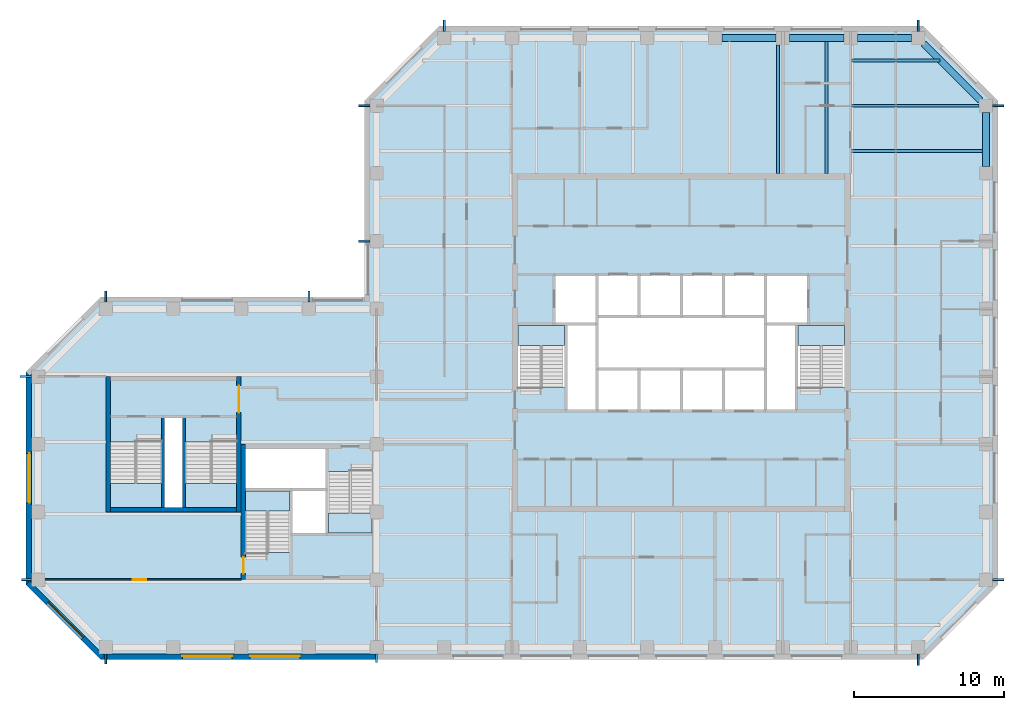
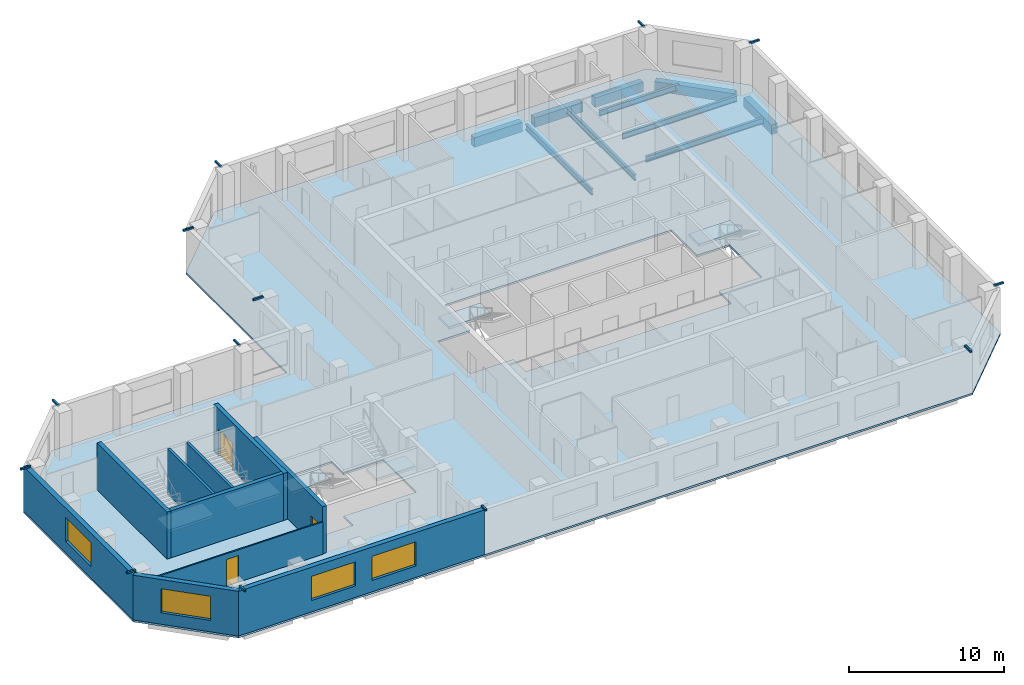
# One storey, part 2 of 9: 23 beams, 10 walls, 7 slabs, 4 windows, 3 doors, 7 openings, 6 elements without a shape of their own.
"""IFC4 building model written with IfcOpenShell, lengths in metres."""

from ifc_helpers import new_model, si_unit, direction, frame, frame_2d, origin, origin_2d, place, context, subcontext, project, spatial, polyline, rectangle, hollow_rectangle, i_section, outline, extrude, material, layer, layer_set, constituent, constituent_set, material_profile, profile_set, type_object, element, fill, aggregate, save


model = new_model("IFC4")

# Units and contexts
model_context = context("Model", 3, precision=1e-05, world=origin(), true_north=direction((0.0, 1.0)))
body_context = subcontext(model_context, "Body", "Model", "MODEL_VIEW")
ifc_project = project(units=[si_unit("LENGTHUNIT", "METRE"), si_unit("AREAUNIT", "SQUARE_METRE"), si_unit("VOLUMEUNIT", "CUBIC_METRE"), si_unit("PLANEANGLEUNIT", "RADIAN"), si_unit("MASSUNIT", "GRAM", prefix="KILO")], contexts=[model_context])

# Site, building, storey
site_placement = place(None, origin())
site = spatial("IfcSite", under=ifc_project, at=site_placement, CompositionType="ELEMENT")
building_placement = place(site_placement, origin())
building = spatial("IfcBuilding", under=site, at=building_placement, Name="Quoin Convention Tower", CompositionType="ELEMENT")
storey_placement = place(building_placement, frame((0.0, 0.0, 215.60009765625)))
storey = spatial("IfcBuildingStorey", under=building, at=storey_placement, Name="L56", CompositionType="ELEMENT", Elevation=215.60009765625)

# Beams
ifc_material_1 = material(Name="Steel C450L0", Category="steel")
ifc_material_profile_1 = material_profile(ifc_material_1, hollow_rectangle(XDim=0.14990234375, YDim=0.14990234375, WallThickness=0.008056640625, InnerFilletRadius=0.011962890625, OuterFilletRadius=0.02001953125, at=origin_2d()), Name="150x150x8.0SHS")
ifc_profile_set_1 = profile_set([ifc_material_profile_1], Name="Steel C450L0")
beam_type_1 = type_object("IfcBeamType", Name="150x150x8.0SHS", PredefinedType="BEAM", material=ifc_profile_set_1)
beam_1_placement = place(storey_placement, frame((13.050048828125, 58.5, 3.625), z_axis=(-1.0, 0.0, 0.0), x_axis=(0.0, -1.0, 0.0)))
element("IfcBeam", 1, at=beam_1_placement, inside=storey, type_object=beam_type_1, Name="brk-hi-L53-13500_58500-13500_54000", PredefinedType="BEAM", context=body_context, shape_type="SweptSolid", body=[
    extrude(hollow_rectangle(XDim=0.14990234375, YDim=0.14990234375, WallThickness=0.008056640625, InnerFilletRadius=0.011962890625, OuterFilletRadius=0.02001953125, at=origin_2d()), origin(), (0.0, 0.0, 1.0), 0.75),
])
for number, where, z_axis, x_axis, name in (
    (2, (13.050048828125, 45.0, 3.625), (-1.0, 0.0, 0.0), (0.0, -1.0, 0.0), "brk-hi-L53-13500_49500-13500_45000"),
    (3, (18.0, 40.050048828125, 3.625), (0.0, -1.0, 0.0), (1.0, 0.0, 0.0), "brk-hi-L53-18000_40500-22500_40500"),
):
    element("IfcBeam", number, at=place(storey_placement, frame(where, z_axis=z_axis, x_axis=x_axis)), inside=storey, type_object=beam_type_1, Name=name, PredefinedType="BEAM", context=body_context, shape_type="SweptSolid", body=[
        extrude(hollow_rectangle(XDim=0.14990234375, YDim=0.14990234375, WallThickness=0.008056640625, InnerFilletRadius=0.011962890625, OuterFilletRadius=0.02001953125, at=origin_2d()), origin(), (0.0, 0.0, 1.0), 0.650146484375),
    ])
beam_2_placement = place(storey_placement, frame((36.0, 40.050048828125, 3.625), z_axis=(0.0, -1.0, 0.0), x_axis=(1.0, 0.0, 0.0)))
element("IfcBeam", 4, at=beam_2_placement, inside=storey, type_object=beam_type_1, Name="brk-hi-L53-31500_40500-36000_40500", PredefinedType="BEAM", context=body_context, shape_type="SweptSolid", body=[
    extrude(hollow_rectangle(XDim=0.14990234375, YDim=0.14990234375, WallThickness=0.008056640625, InnerFilletRadius=0.011962890625, OuterFilletRadius=0.02001953125, at=origin_2d()), origin(), (0.0, 0.0, 1.0), 0.550048828125),
])
for number, where, z_axis, x_axis, name in (
    (5, (72.0, 40.050048828125, 3.625), (0.0, -1.0, 0.0), (1.0, 0.0, 0.0), "brk-hi-L53-67500_40500-72000_40500"),
    (6, (31.5, 63.449951171875, 3.625), (0.0, 1.0, 0.0), (-1.0, 0.0, 0.0), "brk-hi-L53-31500_63000-27000_63000"),
    (7, (18.0, 63.449951171875, 3.625), (0.0, 1.0, 0.0), (-1.0, 0.0, 0.0), "brk-hi-L53-22500_63000-18000_63000"),
    (8, (35.550048828125, 76.5, 3.625), (-1.0, 0.0, 0.0), (0.0, -1.0, 0.0), "brk-hi-L53-36000_76500-36000_72000"),
    (9, (35.550048828125, 67.5, 3.625), (-1.0, 0.0, 0.0), (0.0, -1.0, 0.0), "brk-hi-L53-36000_72000-36000_67500"),
    (10, (72.0, 81.449951171875, 3.625), (0.0, 1.0, 0.0), (-1.0, 0.0, 0.0), "brk-hi-L53-72000_81000-67500_81000"),
    (11, (40.5, 81.449951171875, 3.625), (0.0, 1.0, 0.0), (-1.0, 0.0, 0.0), "brk-hi-L53-45000_81000-40500_81000"),
    (12, (76.949951171875, 45.0, 3.625), (1.0, 0.0, 0.0), (0.0, 1.0, 0.0), "brk-hi-L53-76500_45000-76500_49500"),
    (13, (76.949951171875, 76.5, 3.625), (1.0, 0.0, 0.0), (0.0, 1.0, 0.0), "brk-hi-L53-76500_72000-76500_76500"),
):
    element("IfcBeam", number, at=place(storey_placement, frame(where, z_axis=z_axis, x_axis=x_axis)), inside=storey, type_object=beam_type_1, Name=name, PredefinedType="BEAM", context=body_context, shape_type="SweptSolid", body=[
        extrude(hollow_rectangle(XDim=0.14990234375, YDim=0.14990234375, WallThickness=0.008056640625, InnerFilletRadius=0.011962890625, OuterFilletRadius=0.02001953125, at=origin_2d()), origin(), (0.0, 0.0, 1.0), 0.75),
    ])
ifc_material_2 = material(Name="Steel Grade 300", Category="steel")
ifc_material_profile_2 = material_profile(ifc_material_2, i_section(OverallWidth=0.18994140625, OverallDepth=0.4541015625, WebThickness=0.008544921875, FlangeThickness=0.0126953125, FilletRadius=0.011474609375, at=origin_2d()), Name="460UB67.1")
ifc_profile_set_2 = profile_set([ifc_material_profile_2], Name="Steel Grade 300")
beam_type_2 = type_object("IfcBeamType", Name="460UB67.1", PredefinedType="BEAM", material=ifc_profile_set_2)
beam_3_placement = place(storey_placement, frame((62.6787109375, 72.0, -0.377197265625), z_axis=(0.0, 1.0, 0.0), x_axis=(-1.0, 0.0, 0.0)))
element("IfcBeam", 14, at=beam_3_placement, inside=storey, type_object=beam_type_2, Name="bm-L56-T1N5", PredefinedType="BEAM", context=body_context, shape_type="SweptSolid", body=[
    extrude(i_section(OverallWidth=0.18994140625, OverallDepth=0.4541015625, WebThickness=0.008544921875, FlangeThickness=0.0126953125, FilletRadius=0.011474609375, at=origin_2d()), origin(), (0.0, 0.0, 1.0), 8.550048828125),
])
beam_4_placement = place(storey_placement, frame((65.892822265625, 72.0, -0.377197265625), z_axis=(0.0, 1.0, 0.0), x_axis=(-1.0, 0.0, 0.0)))
element("IfcBeam", 15, at=beam_4_placement, inside=storey, type_object=beam_type_2, Name="bm-L56-T1N6", PredefinedType="BEAM", context=body_context, shape_type="SweptSolid", body=[
    extrude(i_section(OverallWidth=0.18994140625, OverallDepth=0.4541015625, WebThickness=0.008544921875, FlangeThickness=0.0126953125, FilletRadius=0.011474609375, at=origin_2d()), origin(), (0.0, 0.0, 1.0), 8.77490234375),
])
beam_5_placement = place(storey_placement, frame((67.5, 79.5, -0.377197265625), z_axis=(1.0, 0.0, 0.0), x_axis=(0.0, 1.0, 0.0)))
element("IfcBeam", 16, at=beam_5_placement, inside=storey, type_object=beam_type_2, Name="bm-L56-T1NE0", PredefinedType="BEAM", context=body_context, shape_type="SweptSolid", body=[
    extrude(i_section(OverallWidth=0.18994140625, OverallDepth=0.4541015625, WebThickness=0.008544921875, FlangeThickness=0.0126953125, FilletRadius=0.011474609375, at=origin_2d()), origin(), (0.0, 0.0, 1.0), 5.935791015625),
])
beam_6_placement = place(storey_placement, frame((67.5, 76.5, -0.377197265625), z_axis=(1.0, 0.0, 0.0), x_axis=(0.0, 1.0, 0.0)))
element("IfcBeam", 17, at=beam_6_placement, inside=storey, type_object=beam_type_2, Name="bm-L56-T1NE1", PredefinedType="BEAM", context=body_context, shape_type="SweptSolid", body=[
    extrude(i_section(OverallWidth=0.18994140625, OverallDepth=0.4541015625, WebThickness=0.008544921875, FlangeThickness=0.0126953125, FilletRadius=0.011474609375, at=origin_2d()), origin(), (0.0, 0.0, 1.0), 8.550048828125),
])
beam_7_placement = place(storey_placement, frame((67.5, 73.5, -0.377197265625), z_axis=(1.0, 0.0, 0.0), x_axis=(0.0, 1.0, 0.0)))
element("IfcBeam", 18, at=beam_7_placement, inside=storey, type_object=beam_type_2, Name="bm-L56-T1NE2", PredefinedType="BEAM", context=body_context, shape_type="SweptSolid", body=[
    extrude(i_section(OverallWidth=0.18994140625, OverallDepth=0.4541015625, WebThickness=0.008544921875, FlangeThickness=0.0126953125, FilletRadius=0.011474609375, at=origin_2d()), origin(), (0.0, 0.0, 1.0), 8.77490234375),
])
ifc_material_3 = material(Name="Concrete C50", Category="concrete")
ifc_material_profile_3 = material_profile(ifc_material_3, rectangle(XDim=0.449951171875, YDim=0.75, at=origin_2d()), Name="RC 450x750")
ifc_profile_set_3 = profile_set([ifc_material_profile_3], Name="Concrete C50")
beam_type_3 = type_object("IfcBeamType", Name="RC 450x750 C50", PredefinedType="SPANDREL", material=ifc_profile_set_3)
beam_8_placement = place(storey_placement, frame((76.5, 72.449951171875, -0.525146484375), z_axis=(0.0, 1.0, 0.0), x_axis=(-1.0, 0.0, 0.0)))
element("IfcBeam", 19, at=beam_8_placement, inside=storey, type_object=beam_type_3, Name="spd-L56-76500_72000-76500_76500", PredefinedType="SPANDREL", context=body_context, shape_type="SweptSolid", body=[
    extrude(rectangle(XDim=0.449951171875, YDim=0.75, at=origin_2d()), origin(), (0.0, 0.0, 1.0), 3.60009765625),
])
beam_9_placement = place(storey_placement, frame((76.135009765625, 76.864990234375, -0.525146484375), z_axis=(-0.707106781187, 0.707106781187, 0.0), x_axis=(-0.707106781187, -0.707106781187, 0.0)))
element("IfcBeam", 20, at=beam_9_placement, inside=storey, type_object=beam_type_3, Name="spd-L56-76500_76500-72000_81000", PredefinedType="SPANDREL", context=body_context, shape_type="SweptSolid", body=[
    extrude(rectangle(XDim=0.449951171875, YDim=0.75, at=origin_2d()), origin(), (0.0, 0.0, 1.0), 5.33154296875),
])
for number, where, z_axis, x_axis, name in (
    (21, (71.550048828125, 81.0, -0.525146484375), (-1.0, 0.0, 0.0), (0.0, -1.0, 0.0), "spd-L56-72000_81000-67500_81000"),
    (22, (67.050048828125, 81.0, -0.525146484375), (-1.0, 0.0, 0.0), (0.0, -1.0, 0.0), "spd-L56-67500_81000-63000_81000"),
    (23, (62.550048828125, 81.0, -0.525146484375), (-1.0, 0.0, 0.0), (0.0, -1.0, 0.0), "spd-L56-63000_81000-58500_81000"),
):
    element("IfcBeam", number, at=place(storey_placement, frame(where, z_axis=z_axis, x_axis=x_axis)), inside=storey, type_object=beam_type_3, Name=name, PredefinedType="SPANDREL", context=body_context, shape_type="SweptSolid", body=[
        extrude(rectangle(XDim=0.449951171875, YDim=0.75, at=origin_2d()), origin(), (0.0, 0.0, 1.0), 3.60009765625),
    ])

# Slab
ifc_material_4 = material(Name="Concrete C40", Category="concrete")
ifc_layer_1 = layer(ifc_material_4, 0.14990234375)
ifc_layer_set_1 = layer_set([ifc_layer_1], Name="Concrete C40")
slab_type_1 = type_object("IfcSlabType", Name="COMPOSITE SLAB 150 C40", PredefinedType="FLOOR", material=ifc_layer_set_1)
slab_1_placement = place(storey_placement, frame((0.0, 0.0, -0.150146484375)))
element("IfcSlab", 24, at=slab_1_placement, inside=storey, type_object=slab_type_1, Name="slb-L56", PredefinedType="FLOOR", context=body_context, shape_type="SweptSolid", body=[
    extrude(outline(polyline([(17.668701171875, 39.699951171875), (12.699951171875, 44.668701171875), (12.699951171875, 58.831298828125), (17.668701171875, 63.800048828125), (35.199951171875, 63.800048828125), (35.199951171875, 76.831298828125), (40.168701171875, 81.800048828125), (72.331298828125, 81.800048828125), (77.300048828125, 76.831298828125), (77.300048828125, 44.668701171875), (72.331298828125, 39.699951171875), (17.668701171875, 39.699951171875)]), holes=[polyline([(27.300048828125, 51.0), (27.300048828125, 46.800537109375), (30.300048828125, 46.800537109375), (30.300048828125, 48.0), (32.699951171875, 48.0), (35.699951171875, 48.0), (35.699951171875, 52.199462890625), (32.699951171875, 52.199462890625), (32.699951171875, 53.699951171875), (27.300048828125, 53.699951171875), (27.300048828125, 51.0)]), polyline([(18.300048828125, 49.800048828125), (21.800048828125, 49.800048828125), (23.199951171875, 49.800048828125), (26.699951171875, 49.800048828125), (26.699951171875, 54.1494140625), (23.199951171875, 54.1494140625), (23.199951171875, 55.85009765625), (21.800048828125, 55.85009765625), (21.800048828125, 54.1494140625), (18.300048828125, 54.1494140625), (18.300048828125, 49.800048828125)]), polyline([(48.60009765625, 56.199951171875), (50.64990234375, 56.199951171875), (53.449951171875, 56.199951171875), (56.25, 56.199951171875), (59.050048828125, 56.199951171875), (61.85009765625, 56.199951171875), (63.89990234375, 56.199951171875), (63.89990234375, 57.800537109375), (67.10009765625, 57.800537109375), (67.10009765625, 62.0), (64.699951171875, 62.0), (64.699951171875, 65.300048828125), (61.85009765625, 65.300048828125), (59.050048828125, 65.300048828125), (56.25, 65.300048828125), (53.449951171875, 65.300048828125), (50.64990234375, 65.300048828125), (47.800048828125, 65.300048828125), (47.800048828125, 62.0), (45.39990234375, 62.0), (45.39990234375, 57.800537109375), (48.60009765625, 57.800537109375), (48.60009765625, 56.199951171875)])]), origin(), (0.0, 0.0, 1.0), 0.150146484375),
])

# Stair, slab
stair_type_1 = type_object("IfcStairType", Name="Exit stair two-flight 1350", PredefinedType="HALF_TURN_STAIR", material=ifc_material_4)
stair_1_placement = place(storey_placement, origin())
stair_1 = element("IfcStair", 25, at=stair_1_placement, inside=storey, type_object=stair_type_1, Name="SD1 L56", PredefinedType="HALF_TURN_STAIR")
ifc_layer_2 = layer(ifc_material_4, 0.199951171875)
ifc_layer_set_2 = layer_set([ifc_layer_2], Name="Concrete C40")
slab_type_2 = type_object("IfcSlabType", Name="Stair landing 200", PredefinedType="LANDING", material=ifc_layer_set_2)
slab_2_placement = place(storey_placement, frame((0.0, 0.0, 1.792236328125)))
slab_2 = element("IfcSlab", 26, at=slab_2_placement, type_object=slab_type_2, Name="ST1 landing 1", PredefinedType="LANDING", context=body_context, shape_type="SweptSolid", body=[
    extrude(outline(polyline([(45.39990234375, 60.550048828125), (48.5, 60.550048828125), (48.5, 61.89990234375), (45.39990234375, 61.89990234375), (45.39990234375, 60.550048828125)])), origin(), (0.0, 0.0, 1.0), 0.199951171875),
])
aggregate(stair_1, [slab_2])

stair_2_placement = place(storey_placement, origin())
stair_2 = element("IfcStair", 27, at=stair_2_placement, inside=storey, type_object=stair_type_1, Name="SD2 L56", PredefinedType="HALF_TURN_STAIR")
slab_3_placement = place(storey_placement, frame((0.0, 0.0, 1.792236328125)))
slab_3 = element("IfcSlab", 28, at=slab_3_placement, type_object=slab_type_2, Name="ST2 landing 1", PredefinedType="LANDING", context=body_context, shape_type="SweptSolid", body=[
    extrude(outline(polyline([(64.0, 60.550048828125), (67.10009765625, 60.550048828125), (67.10009765625, 61.89990234375), (64.0, 61.89990234375), (64.0, 60.550048828125)])), origin(), (0.0, 0.0, 1.0), 0.199951171875),
])
aggregate(stair_2, [slab_3])

stair_3_placement = place(storey_placement, origin())
stair_3 = element("IfcStair", 29, at=stair_3_placement, inside=storey, type_object=stair_type_1, Name="SD3 L56", PredefinedType="HALF_TURN_STAIR")
slab_4_placement = place(storey_placement, frame((0.0, 0.0, 1.792236328125)))
slab_4 = element("IfcSlab", 30, at=slab_4_placement, type_object=slab_type_2, Name="ST3 landing 1", PredefinedType="LANDING", context=body_context, shape_type="SweptSolid", body=[
    extrude(outline(polyline([(27.300048828125, 49.550048828125), (30.199951171875, 49.550048828125), (30.199951171875, 50.89990234375), (27.300048828125, 50.89990234375), (27.300048828125, 49.550048828125)])), origin(), (0.0, 0.0, 1.0), 0.199951171875),
])
aggregate(stair_3, [slab_4])

stair_4_placement = place(storey_placement, origin())
stair_4 = element("IfcStair", 31, at=stair_4_placement, inside=storey, type_object=stair_type_1, Name="SD4 L56", PredefinedType="HALF_TURN_STAIR")
slab_5_placement = place(storey_placement, frame((0.0, 0.0, 1.792236328125)))
slab_5 = element("IfcSlab", 32, at=slab_5_placement, type_object=slab_type_2, Name="ST4 landing 1", PredefinedType="LANDING", context=body_context, shape_type="SweptSolid", body=[
    extrude(outline(polyline([(35.699951171875, 49.449951171875), (32.800048828125, 49.449951171875), (32.800048828125, 48.10009765625), (35.699951171875, 48.10009765625), (35.699951171875, 49.449951171875)])), origin(), (0.0, 0.0, 1.0), 0.199951171875),
])
aggregate(stair_4, [slab_5])

stair_type_2 = type_object("IfcStairType", Name="Exit stair two-flight 1600", PredefinedType="HALF_TURN_STAIR", material=ifc_material_4)
stair_5_placement = place(storey_placement, origin())
stair_5 = element("IfcStair", 33, at=stair_5_placement, inside=storey, type_object=stair_type_2, Name="SD11 L56", PredefinedType="HALF_TURN_STAIR")
slab_6_placement = place(storey_placement, frame((0.0, 0.0, 1.792236328125)))
slab_6 = element("IfcSlab", 34, at=slab_6_placement, type_object=slab_type_2, Name="ST11 landing 1", PredefinedType="LANDING", context=body_context, shape_type="SweptSolid", body=[
    extrude(outline(polyline([(21.699951171875, 51.39990234375), (18.300048828125, 51.39990234375), (18.300048828125, 49.800048828125), (21.699951171875, 49.800048828125), (21.699951171875, 51.39990234375)])), origin(), (0.0, 0.0, 1.0), 0.199951171875),
])
aggregate(stair_5, [slab_6])

stair_6_placement = place(storey_placement, origin())
stair_6 = element("IfcStair", 35, at=stair_6_placement, inside=storey, type_object=stair_type_2, Name="SD12 L56", PredefinedType="HALF_TURN_STAIR")
slab_7_placement = place(storey_placement, frame((0.0, 0.0, 1.792236328125)))
slab_7 = element("IfcSlab", 36, at=slab_7_placement, type_object=slab_type_2, Name="ST12 landing 1", PredefinedType="LANDING", context=body_context, shape_type="SweptSolid", body=[
    extrude(outline(polyline([(26.699951171875, 51.39990234375), (23.300048828125, 51.39990234375), (23.300048828125, 49.800048828125), (26.699951171875, 49.800048828125), (26.699951171875, 51.39990234375)])), origin(), (0.0, 0.0, 1.0), 0.199951171875),
])
aggregate(stair_6, [slab_7])

# Wall, opening, window
ifc_material_5 = material(Name="Brick masonry", Category="masonry")
ifc_layer_3 = layer(ifc_material_5, 0.35009765625)
ifc_layer_set_3 = layer_set([ifc_layer_3], Name="Brick masonry")
wall_type_1 = type_object("IfcWallType", Name="Brick facade wall", PredefinedType="STANDARD", material=ifc_layer_set_3)
wall_1_placement = place(storey_placement, frame((12.875, 58.831298828125, 0.0), z_axis=(0.0, 0.0, 1.0), x_axis=(0.0, -1.0, 0.0)))
wall_1 = element("IfcWall", 37, at=wall_1_placement, inside=storey, type_object=wall_type_1, Name="fw-L56-13500_58500", PredefinedType="STANDARD", context=body_context, shape_type="SweptSolid", body=[
    extrude(rectangle(XDim=14.16259765625, YDim=0.35009765625, at=frame_2d((7.081298828125, 0.0))), origin(), (0.0, 0.0, 1.0), 3.52490234375),
])
opening_1_placement = place(wall_1_placement, frame((5.431396484375, 0.0, 0.89990234375)))
opening_1 = element("IfcOpeningElement", 38, at=opening_1_placement, cuts=wall_1, Name="Opening W-02", PredefinedType="OPENING", context=body_context, shape_type="SweptSolid", body=[
    extrude(rectangle(XDim=3.300048828125, YDim=1.89990234375, at=frame_2d((1.64990234375, 0.949951171875))), frame((0.0, 0.18505859375, 0.0), z_axis=(0.0, -1.0, 0.0), x_axis=(1.0, 0.0, 0.0)), (0.0, 0.0, 1.0), 0.3701171875),
])
ifc_material_6 = material(Name="Aluminium", Category="aluminium")
ifc_constituent_1 = constituent(ifc_material_6, Name="Frame")
ifc_material_7 = material(Name="Insulated glass", Category="glass")
ifc_constituent_2 = constituent(ifc_material_7, Name="Glazing")
ifc_constituent_set = constituent_set(constituents=[ifc_constituent_1, ifc_constituent_2], Name="Aluminium")
window_type = type_object("IfcWindowType", Name="Office window", PartitioningType="DOUBLE_PANEL_VERTICAL", PredefinedType="WINDOW", material=ifc_constituent_set)
window_1_placement = place(opening_1_placement, origin())
window_1 = element("IfcWindow", 39, at=window_1_placement, inside=storey, type_object=window_type, Name="win-L56-12875_51750", OverallHeight=1.89990234375, OverallWidth=3.300048828125, PartitioningType="SINGLE_PANEL", PredefinedType="WINDOW", context=body_context, shape_type="SweptSolid", body=[
    extrude(rectangle(XDim=3.300048828125, YDim=1.89990234375, at=frame_2d((1.64990234375, 0.949951171875))), frame((0.0, 0.0849609375, 0.0), z_axis=(0.0, -1.0, 0.0), x_axis=(1.0, 0.0, 0.0)), (0.0, 0.0, 1.0), 0.06005859375),
])
fill(opening_1, window_1)

wall_2_placement = place(storey_placement, frame((12.82373046875, 44.79248046875, 0.0), z_axis=(0.0, 0.0, 1.0), x_axis=(0.707106781187, -0.707106781187, 0.0)))
wall_2 = element("IfcWall", 40, at=wall_2_placement, inside=storey, type_object=wall_type_1, Name="fw-L56-13500_45000", PredefinedType="STANDARD", context=body_context, shape_type="SweptSolid", body=[
    extrude(rectangle(XDim=7.02685546875, YDim=0.35009765625, at=frame_2d((3.513427734375, 0.0))), origin(), (0.0, 0.0, 1.0), 3.52490234375),
])
opening_2_placement = place(wall_2_placement, frame((1.86328125, 0.0, 0.89990234375)))
opening_2 = element("IfcOpeningElement", 41, at=opening_2_placement, cuts=wall_2, Name="Opening W-02", PredefinedType="OPENING", context=body_context, shape_type="SweptSolid", body=[
    extrude(rectangle(XDim=3.300048828125, YDim=1.89990234375, at=frame_2d((1.64990234375, 0.949951171875))), frame((0.0, 0.18505859375, 0.0), z_axis=(0.0, -1.0, 0.0), x_axis=(1.0, 0.0, 0.0)), (0.0, 0.0, 1.0), 0.3701171875),
])
window_2_placement = place(opening_2_placement, origin())
window_2 = element("IfcWindow", 42, at=window_2_placement, inside=storey, type_object=window_type, Name="win-L56-15308_42308", OverallHeight=1.89990234375, OverallWidth=3.300048828125, PartitioningType="SINGLE_PANEL", PredefinedType="WINDOW", context=body_context, shape_type="SweptSolid", body=[
    extrude(rectangle(XDim=3.300048828125, YDim=1.89990234375, at=frame_2d((1.64990234375, 0.949951171875))), frame((0.0, 0.0849609375, 0.0), z_axis=(0.0, -1.0, 0.0), x_axis=(1.0, 0.0, 0.0)), (0.0, 0.0, 1.0), 0.06005859375),
])
fill(opening_2, window_2)

# Wall, openings, windows
wall_3_placement = place(storey_placement, frame((17.668701171875, 39.875, 0.0), z_axis=(0.0, 0.0, 1.0), x_axis=(1.0, 0.0, 0.0)))
wall_3 = element("IfcWall", 43, at=wall_3_placement, inside=storey, type_object=wall_type_1, Name="fw-L56-18000_40500", PredefinedType="STANDARD", context=body_context, shape_type="SweptSolid", body=[
    extrude(rectangle(XDim=18.331298828125, YDim=0.35009765625, at=frame_2d((9.16552734375, 0.0))), origin(), (0.0, 0.0, 1.0), 3.52490234375),
])
opening_3_placement = place(wall_3_placement, frame((5.431396484375, 0.0, 0.89990234375)))
opening_3 = element("IfcOpeningElement", 44, at=opening_3_placement, cuts=wall_3, Name="Opening W-02", PredefinedType="OPENING", context=body_context, shape_type="SweptSolid", body=[
    extrude(rectangle(XDim=3.300048828125, YDim=1.89990234375, at=frame_2d((1.64990234375, 0.949951171875))), frame((0.0, 0.18505859375, 0.0), z_axis=(0.0, -1.0, 0.0), x_axis=(1.0, 0.0, 0.0)), (0.0, 0.0, 1.0), 0.3701171875),
])
opening_4_placement = place(wall_3_placement, frame((9.931396484375, 0.0, 0.89990234375)))
opening_4 = element("IfcOpeningElement", 45, at=opening_4_placement, cuts=wall_3, Name="Opening W-02", PredefinedType="OPENING", context=body_context, shape_type="SweptSolid", body=[
    extrude(rectangle(XDim=3.300048828125, YDim=1.89990234375, at=frame_2d((1.64990234375, 0.949951171875))), frame((0.0, 0.18505859375, 0.0), z_axis=(0.0, -1.0, 0.0), x_axis=(1.0, 0.0, 0.0)), (0.0, 0.0, 1.0), 0.3701171875),
])
window_3_placement = place(opening_3_placement, origin())
window_3 = element("IfcWindow", 46, at=window_3_placement, inside=storey, type_object=window_type, Name="win-L56-24750_39875", OverallHeight=1.89990234375, OverallWidth=3.300048828125, PartitioningType="SINGLE_PANEL", PredefinedType="WINDOW", context=body_context, shape_type="SweptSolid", body=[
    extrude(rectangle(XDim=3.300048828125, YDim=1.89990234375, at=frame_2d((1.64990234375, 0.949951171875))), frame((0.0, 0.0849609375, 0.0), z_axis=(0.0, -1.0, 0.0), x_axis=(1.0, 0.0, 0.0)), (0.0, 0.0, 1.0), 0.06005859375),
])
fill(opening_3, window_3)
window_4_placement = place(opening_4_placement, origin())
window_4 = element("IfcWindow", 47, at=window_4_placement, inside=storey, type_object=window_type, Name="win-L56-29250_39875", OverallHeight=1.89990234375, OverallWidth=3.300048828125, PartitioningType="SINGLE_PANEL", PredefinedType="WINDOW", context=body_context, shape_type="SweptSolid", body=[
    extrude(rectangle(XDim=3.300048828125, YDim=1.89990234375, at=frame_2d((1.64990234375, 0.949951171875))), frame((0.0, 0.0849609375, 0.0), z_axis=(0.0, -1.0, 0.0), x_axis=(1.0, 0.0, 0.0)), (0.0, 0.0, 1.0), 0.06005859375),
])
fill(opening_4, window_4)

# Walls
ifc_layer_4 = layer(ifc_material_3, 0.199951171875)
ifc_layer_set_4 = layer_set([ifc_layer_4], Name="Concrete C50")
wall_type_2 = type_object("IfcWallType", Name="Core shaft wall", PredefinedType="SOLIDWALL", material=ifc_layer_set_4)
for number, where, z_axis, x_axis, name in (
    (48, (21.800048828125, 49.800048828125, 0.0), (0.0, 0.0, 1.0), (0.0, 1.0, 0.0), "cr-P6-L56-v3800_300"),
    (49, (23.199951171875, 49.800048828125, 0.0), (0.0, 0.0, 1.0), (0.0, 1.0, 0.0), "cr-P6-L56-v5200_300"),
):
    element("IfcWall", number, at=place(storey_placement, frame(where, z_axis=z_axis, x_axis=x_axis)), inside=storey, type_object=wall_type_2, Name=name, PredefinedType="SOLIDWALL", context=body_context, shape_type="SweptSolid", body=[
        extrude(rectangle(XDim=6.050048828125, YDim=0.199951171875, at=frame_2d((3.02490234375, 0.0))), origin(), (0.0, 0.0, 1.0), 3.5498046875),
    ])

# Wall, opening, door
ifc_layer_5 = layer(ifc_material_3, 0.300048828125)
ifc_layer_set_5 = layer_set([ifc_layer_5], Name="Concrete C50")
wall_type_3 = type_object("IfcWallType", Name="RC CORE WALL 300 C50", PredefinedType="SHEAR", material=ifc_layer_set_5)
wall_4_placement = place(storey_placement, frame((27.14990234375, 45.0, 0.0), z_axis=(0.0, 0.0, 1.0), x_axis=(0.0, 1.0, 0.0)))
wall_4 = element("IfcWall", 50, at=wall_4_placement, inside=storey, type_object=wall_type_3, Name="cwl-P2-L56-W", PredefinedType="SHEAR", context=body_context, shape_type="SweptSolid", body=[
    extrude(rectangle(XDim=9.0, YDim=0.300048828125, at=frame_2d((4.5, 0.0))), origin(), (0.0, 0.0, 1.0), 3.699951171875),
])
opening_5_placement = place(wall_4_placement, frame((0.39990234375, 0.0, 0.0)))
opening_5 = element("IfcOpeningElement", 51, at=opening_5_placement, cuts=wall_4, Name="Opening SD3", PredefinedType="OPENING", context=body_context, shape_type="SweptSolid", body=[
    extrude(rectangle(XDim=1.10009765625, YDim=2.10009765625, at=frame_2d((0.550048828125, 1.050048828125))), frame((0.0, 0.159912109375, 0.0), z_axis=(0.0, -1.0, 0.0), x_axis=(1.0, 0.0, 0.0)), (0.0, 0.0, 1.0), 0.320068359375),
])
ifc_material_8 = material(Name="Steel door leaf", Category="steel")
door_type_1 = type_object("IfcDoorType", Name="Stair door 1100 x 2100", OperationType="SINGLE_SWING_RIGHT", PredefinedType="DOOR", material=ifc_material_8)
door_1_placement = place(opening_5_placement, frame((1.10009765625, 0.0, 0.0), z_axis=(0.0, 0.0, 1.0), x_axis=(-1.0, 0.0, 0.0)))
door_1 = element("IfcDoor", 52, at=door_1_placement, inside=storey, type_object=door_type_1, Name="cd-P2-L56-SA-W", OperationType="SINGLE_SWING_RIGHT", OverallHeight=2.10009765625, OverallWidth=1.10009765625, PredefinedType="DOOR", context=body_context, shape_type="SweptSolid", body=[
    extrude(rectangle(XDim=1.10009765625, YDim=2.10009765625, at=frame_2d((0.550048828125, 1.050048828125))), frame((0.0, 0.02490234375, 0.0), z_axis=(0.0, -1.0, 0.0), x_axis=(1.0, 0.0, 0.0)), (0.0, 0.0, 1.0), 0.050048828125),
])
fill(opening_5, door_1)

# Walls
wall_5_placement = place(storey_placement, frame((18.300048828125, 49.64990234375, 0.0), z_axis=(0.0, 0.0, 1.0), x_axis=(1.0, 0.0, 0.0)))
element("IfcWall", 53, at=wall_5_placement, inside=storey, type_object=wall_type_3, Name="cwl-P6-L56-S", PredefinedType="SHEAR", context=body_context, shape_type="SweptSolid", body=[
    extrude(rectangle(XDim=8.39990234375, YDim=0.300048828125, at=frame_2d((4.199951171875, 0.0))), origin(), (0.0, 0.0, 1.0), 3.699951171875),
])
wall_6_placement = place(storey_placement, frame((18.14990234375, 49.5, 0.0), z_axis=(0.0, 0.0, 1.0), x_axis=(0.0, 1.0, 0.0)))
element("IfcWall", 54, at=wall_6_placement, inside=storey, type_object=wall_type_3, Name="cwl-P6-L56-W", PredefinedType="SHEAR", context=body_context, shape_type="SweptSolid", body=[
    extrude(rectangle(XDim=9.0, YDim=0.300048828125, at=frame_2d((4.5, 0.0))), origin(), (0.0, 0.0, 1.0), 3.699951171875),
])

# Wall, opening, door
wall_7_placement = place(storey_placement, frame((26.85009765625, 49.5, 0.0), z_axis=(0.0, 0.0, 1.0), x_axis=(0.0, 1.0, 0.0)))
wall_7 = element("IfcWall", 55, at=wall_7_placement, inside=storey, type_object=wall_type_3, Name="cwl-P6-L56-E", PredefinedType="SHEAR", context=body_context, shape_type="SweptSolid", body=[
    extrude(rectangle(XDim=9.0, YDim=0.300048828125, at=frame_2d((4.5, 0.0))), origin(), (0.0, 0.0, 1.0), 3.699951171875),
])
opening_6_placement = place(wall_7_placement, frame((6.60009765625, 0.0, 0.0)))
opening_6 = element("IfcOpeningElement", 56, at=opening_6_placement, cuts=wall_7, Name="Opening DCV1-54", PredefinedType="OPENING", context=body_context, shape_type="SweptSolid", body=[
    extrude(rectangle(XDim=1.800048828125, YDim=2.10009765625, at=frame_2d((0.89990234375, 1.050048828125))), frame((0.0, 0.159912109375, 0.0), z_axis=(0.0, -1.0, 0.0), x_axis=(1.0, 0.0, 0.0)), (0.0, 0.0, 1.0), 0.320068359375),
])
door_type_2 = type_object("IfcDoorType", Name="Goods lobby door 1800 x 2100", OperationType="SINGLE_SWING_LEFT", PredefinedType="DOOR", material=ifc_material_8)
door_2_placement = place(opening_6_placement, origin())
door_2 = element("IfcDoor", 57, at=door_2_placement, inside=storey, type_object=door_type_2, Name="cd-P6-L56-R2-E", OperationType="SINGLE_SWING_LEFT", OverallHeight=2.10009765625, OverallWidth=1.800048828125, PredefinedType="DOOR", context=body_context, shape_type="SweptSolid", body=[
    extrude(rectangle(XDim=1.800048828125, YDim=2.10009765625, at=frame_2d((0.89990234375, 1.050048828125))), frame((0.0, 0.02490234375, 0.0), z_axis=(0.0, -1.0, 0.0), x_axis=(1.0, 0.0, 0.0)), (0.0, 0.0, 1.0), 0.050048828125),
])
fill(opening_6, door_2)

ifc_material_9 = material(Name="Plasterboard")
ifc_layer_6 = layer(ifc_material_9, 0.012451171875, Name="Finish")
ifc_material_10 = material(Name="Steel stud framing", Category="steel")
ifc_layer_7 = layer(ifc_material_10, 0.074951171875, Name="Structure")
ifc_layer_8 = layer(ifc_material_9, 0.012451171875, Name="Finish")
ifc_layer_set_6 = layer_set([ifc_layer_6, ifc_layer_7, ifc_layer_8], Name="Steel stud framing")
wall_type_4 = type_object("IfcWallType", Name="Stud partition 100 under beam 1000", PredefinedType="PARTITIONING", material=ifc_layer_set_6)
wall_8_placement = place(storey_placement, frame((13.5, 45.0, 0.0), z_axis=(0.0, 0.0, 1.0), x_axis=(1.0, 0.0, 0.0)))
wall_8 = element("IfcWall", 58, at=wall_8_placement, inside=storey, type_object=wall_type_4, Name="pw-L56-w05", PredefinedType="PARTITIONING", context=body_context, shape_type="SweptSolid", body=[
    extrude(rectangle(XDim=13.5, YDim=0.10009765625, at=frame_2d((6.75, 0.0))), origin(), (0.0, 0.0, 1.0), 2.5498046875),
])
opening_7_placement = place(wall_8_placement, frame((6.300048828125, 0.0, 0.0)))
opening_7 = element("IfcOpeningElement", 59, at=opening_7_placement, cuts=wall_8, Name="Opening DOH9-25", PredefinedType="OPENING", context=body_context, shape_type="SweptSolid", body=[
    extrude(rectangle(XDim=0.89990234375, YDim=2.10009765625, at=frame_2d((0.449951171875, 1.050048828125))), frame((0.0, 0.06005859375, 0.0), z_axis=(0.0, -1.0, 0.0), x_axis=(1.0, 0.0, 0.0)), (0.0, 0.0, 1.0), 0.1201171875),
])
door_type_3 = type_object("IfcDoorType", Name="Office door 900 x 2100", OperationType="SINGLE_SWING_RIGHT", PredefinedType="DOOR", material=ifc_material_8)
door_3_placement = place(opening_7_placement, origin())
door_3 = element("IfcDoor", 60, at=door_3_placement, inside=storey, type_object=door_type_3, Name="dr-L56-w05", OperationType="SINGLE_SWING_RIGHT", OverallHeight=2.10009765625, OverallWidth=0.89990234375, PredefinedType="DOOR", context=body_context, shape_type="SweptSolid", body=[
    extrude(rectangle(XDim=0.89990234375, YDim=2.10009765625, at=frame_2d((0.449951171875, 1.050048828125))), frame((0.0, 0.02490234375, 0.0), z_axis=(0.0, -1.0, 0.0), x_axis=(1.0, 0.0, 0.0)), (0.0, 0.0, 1.0), 0.050048828125),
])
fill(opening_7, door_3)

save(model, "model.ifc")
